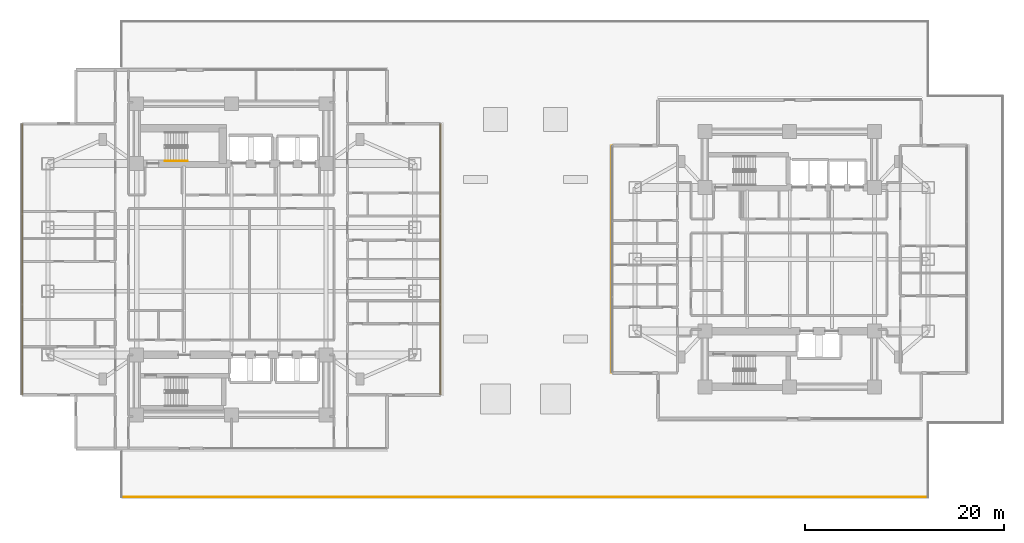
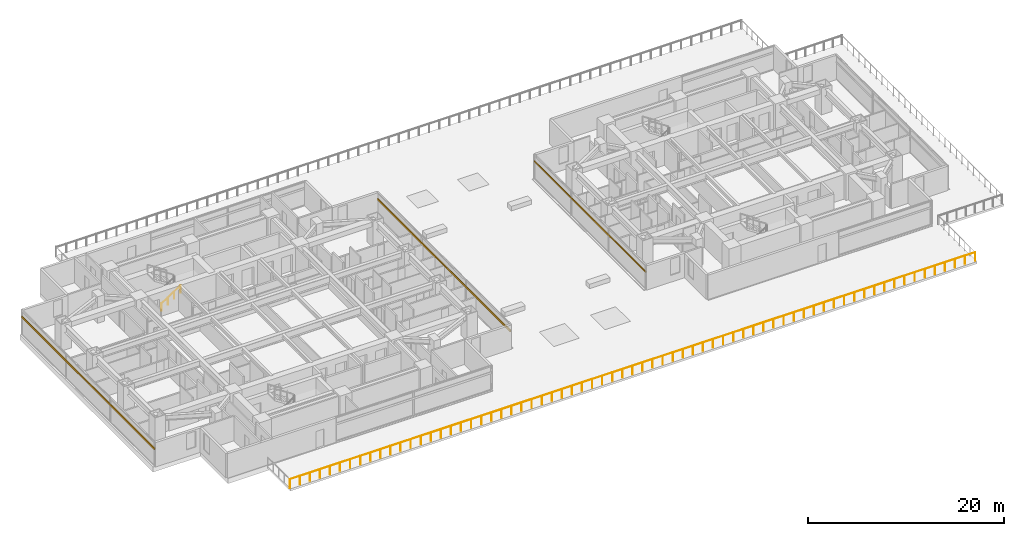
# One storey, part 21 of 26: 3 shading devices, 2 railings.
"""IFC4 building model written with IfcOpenShell, lengths in metres."""

from ifc_helpers import new_model, si_unit, direction, frame, origin, origin_2d, place, context, subcontext, project, spatial, rectangle, circle, extrude, material, material_profile, profile_set, type_object, element, save


model = new_model("IFC4")

# Units and contexts
model_context = context("Model", 3, precision=1e-05, world=origin(), true_north=direction((0.0, 1.0)))
body_context = subcontext(model_context, "Body", "Model", "MODEL_VIEW")
ifc_project = project(units=[si_unit("LENGTHUNIT", "METRE"), si_unit("AREAUNIT", "SQUARE_METRE"), si_unit("VOLUMEUNIT", "CUBIC_METRE"), si_unit("PLANEANGLEUNIT", "RADIAN"), si_unit("MASSUNIT", "GRAM", prefix="KILO")], contexts=[model_context])

# Site, building, storey
site_placement = place(None, origin())
site = spatial("IfcSite", under=ifc_project, at=site_placement, CompositionType="ELEMENT")
building_placement = place(site_placement, origin())
building = spatial("IfcBuilding", under=site, at=building_placement, Name="Mirazonda Arch Towers", CompositionType="ELEMENT")
storey_placement = place(building_placement, frame((0.0, 0.0, 22.39990234375)))
storey = spatial("IfcBuildingStorey", under=building, at=storey_placement, Name="L05", CompositionType="ELEMENT", Elevation=22.39990234375)

# Shading devices
ifc_material_1 = material(Name="Kiln-Fired Architectural Terracotta", Category="masonry")
ifc_material_profile_1 = material_profile(ifc_material_1, rectangle(XDim=0.1201171875, YDim=0.239990234375, at=origin_2d()), Name="TERRA-BAG-120x240")
ifc_profile_set_1 = profile_set([ifc_material_profile_1], Name="Kiln-Fired Architectural Terracotta")
shading_device_type_1 = type_object("IfcShadingDeviceType", Name="BAGUETTE-1", PredefinedType="USERDEFINED", material=ifc_profile_set_1)
for number, where, z_axis, x_axis, name in (
    (1, (41.47998046875, 14.39990234375, 2.18896484375), (0.0, 1.0, 0.0), (-1.0, 0.0, 0.0), "L05 Glazed Terracotta Sun-Screen Baguette CW-L05-T1-E"),
    (2, (-0.47998046875, 41.60009765625, 2.18896484375), (0.0, -1.0, 0.0), (1.0, 0.0, 0.0), "L05 Glazed Terracotta Sun-Screen Baguette CW-L05-T1-W"),
):
    element("IfcShadingDevice", number, at=place(storey_placement, frame(where, z_axis=z_axis, x_axis=x_axis)), inside=storey, type_object=shading_device_type_1, Name=name, ObjectType="BAGUETTE", PredefinedType="USERDEFINED", context=body_context, shape_type="SweptSolid", body=[
        extrude(rectangle(XDim=0.1201171875, YDim=0.239990234375, at=origin_2d()), origin(), (0.0, 0.0, 1.0), 27.2001953125),
    ])
ifc_material_profile_2 = material_profile(ifc_material_1, rectangle(XDim=0.10009765625, YDim=0.199951171875, at=origin_2d()), Name="TERRA-BAG-100x200")
ifc_profile_set_2 = profile_set([ifc_material_profile_2], Name="Kiln-Fired Architectural Terracotta")
shading_device_type_2 = type_object("IfcShadingDeviceType", Name="BAGUETTE-2", PredefinedType="USERDEFINED", material=ifc_profile_set_2)
shading_device_placement = place(storey_placement, frame((58.719970703125, 39.39990234375, 2.18896484375), z_axis=(0.0, -1.0, 0.0), x_axis=(1.0, 0.0, 0.0)))
element("IfcShadingDevice", 3, at=shading_device_placement, inside=storey, type_object=shading_device_type_2, Name="L05 Glazed Terracotta Sun-Screen Baguette CW-L05-T2-W", ObjectType="BAGUETTE", PredefinedType="USERDEFINED", context=body_context, shape_type="SweptSolid", body=[
    extrude(rectangle(XDim=0.10009765625, YDim=0.199951171875, at=origin_2d()), origin(), (0.0, 0.0, 1.0), 22.7998046875),
])

# Railings
ifc_material_2 = material(Name="Architectural Brushed Steel S355", Category="steel")
railing_type_1 = type_object("IfcRailingType", Name="GUARD-EXT-1150", PredefinedType="GUARDRAIL", material=ifc_material_2)
railing_1_placement = place(storey_placement, frame((9.5, 4.139892578125, 0.0)))
element("IfcRailing", 4, at=railing_1_placement, inside=storey, type_object=railing_type_1, Name="L05 Podium Roof Terrace Perimeter Guard 02", PredefinedType="GUARDRAIL", context=body_context, shape_type="SweptSolid", body=[
    extrude(circle(Radius=0.02392578125, at=origin_2d()), frame((0.0, 0.0, 1.1259765625), z_axis=(1.0, 0.0, 0.0), x_axis=(0.0, 1.0, 0.0)), (0.0, 0.0, 1.0), 80.860107421875),
    extrude(circle(Radius=0.02099609375, at=origin_2d()), origin(), (0.0, 0.0, 1.0), 1.101806640625),
    extrude(circle(Radius=0.02099609375, at=origin_2d()), frame((1.189208984375, 0.0, 0.0)), (0.0, 0.0, 1.0), 1.101806640625),
    extrude(circle(Radius=0.02099609375, at=origin_2d()), frame((2.378173828125, 0.0, 0.0)), (0.0, 0.0, 1.0), 1.101806640625),
    extrude(circle(Radius=0.02099609375, at=origin_2d()), frame((3.5673828125, 0.0, 0.0)), (0.0, 0.0, 1.0), 1.101806640625),
    extrude(circle(Radius=0.02099609375, at=origin_2d()), frame((4.756591796875, 0.0, 0.0)), (0.0, 0.0, 1.0), 1.101806640625),
    extrude(circle(Radius=0.02099609375, at=origin_2d()), frame((5.945556640625, 0.0, 0.0)), (0.0, 0.0, 1.0), 1.101806640625),
    extrude(circle(Radius=0.02099609375, at=origin_2d()), frame((7.134765625, 0.0, 0.0)), (0.0, 0.0, 1.0), 1.101806640625),
    extrude(circle(Radius=0.02099609375, at=origin_2d()), frame((8.32373046875, 0.0, 0.0)), (0.0, 0.0, 1.0), 1.101806640625),
    extrude(circle(Radius=0.02099609375, at=origin_2d()), frame((9.512939453125, 0.0, 0.0)), (0.0, 0.0, 1.0), 1.101806640625),
    extrude(circle(Radius=0.02099609375, at=origin_2d()), frame((10.7021484375, 0.0, 0.0)), (0.0, 0.0, 1.0), 1.101806640625),
    extrude(circle(Radius=0.02099609375, at=origin_2d()), frame((11.89111328125, 0.0, 0.0)), (0.0, 0.0, 1.0), 1.101806640625),
    extrude(circle(Radius=0.02099609375, at=origin_2d()), frame((13.080322265625, 0.0, 0.0)), (0.0, 0.0, 1.0), 1.101806640625),
    extrude(circle(Radius=0.02099609375, at=origin_2d()), frame((14.26953125, 0.0, 0.0)), (0.0, 0.0, 1.0), 1.101806640625),
    extrude(circle(Radius=0.02099609375, at=origin_2d()), frame((15.45849609375, 0.0, 0.0)), (0.0, 0.0, 1.0), 1.101806640625),
    extrude(circle(Radius=0.02099609375, at=origin_2d()), frame((16.647705078125, 0.0, 0.0)), (0.0, 0.0, 1.0), 1.101806640625),
    extrude(circle(Radius=0.02099609375, at=origin_2d()), frame((17.836669921875, 0.0, 0.0)), (0.0, 0.0, 1.0), 1.101806640625),
    extrude(circle(Radius=0.02099609375, at=origin_2d()), frame((19.02587890625, 0.0, 0.0)), (0.0, 0.0, 1.0), 1.101806640625),
    extrude(circle(Radius=0.02099609375, at=origin_2d()), frame((20.215087890625, 0.0, 0.0)), (0.0, 0.0, 1.0), 1.101806640625),
    extrude(circle(Radius=0.02099609375, at=origin_2d()), frame((21.404052734375, 0.0, 0.0)), (0.0, 0.0, 1.0), 1.101806640625),
    extrude(circle(Radius=0.02099609375, at=origin_2d()), frame((22.59326171875, 0.0, 0.0)), (0.0, 0.0, 1.0), 1.101806640625),
    extrude(circle(Radius=0.02099609375, at=origin_2d()), frame((23.782470703125, 0.0, 0.0)), (0.0, 0.0, 1.0), 1.101806640625),
    extrude(circle(Radius=0.02099609375, at=origin_2d()), frame((24.971435546875, 0.0, 0.0)), (0.0, 0.0, 1.0), 1.101806640625),
    extrude(circle(Radius=0.02099609375, at=origin_2d()), frame((26.16064453125, 0.0, 0.0)), (0.0, 0.0, 1.0), 1.101806640625),
    extrude(circle(Radius=0.02099609375, at=origin_2d()), frame((27.349853515625, 0.0, 0.0)), (0.0, 0.0, 1.0), 1.101806640625),
    extrude(circle(Radius=0.02099609375, at=origin_2d()), frame((28.538818359375, 0.0, 0.0)), (0.0, 0.0, 1.0), 1.101806640625),
    extrude(circle(Radius=0.02099609375, at=origin_2d()), frame((29.72802734375, 0.0, 0.0)), (0.0, 0.0, 1.0), 1.101806640625),
    extrude(circle(Radius=0.02099609375, at=origin_2d()), frame((30.9169921875, 0.0, 0.0)), (0.0, 0.0, 1.0), 1.101806640625),
    extrude(circle(Radius=0.02099609375, at=origin_2d()), frame((32.106201171875, 0.0, 0.0)), (0.0, 0.0, 1.0), 1.101806640625),
    extrude(circle(Radius=0.02099609375, at=origin_2d()), frame((33.29541015625, 0.0, 0.0)), (0.0, 0.0, 1.0), 1.101806640625),
    extrude(circle(Radius=0.02099609375, at=origin_2d()), frame((34.484375, 0.0, 0.0)), (0.0, 0.0, 1.0), 1.101806640625),
    extrude(circle(Radius=0.02099609375, at=origin_2d()), frame((35.673583984375, 0.0, 0.0)), (0.0, 0.0, 1.0), 1.101806640625),
    extrude(circle(Radius=0.02099609375, at=origin_2d()), frame((36.86279296875, 0.0, 0.0)), (0.0, 0.0, 1.0), 1.101806640625),
    extrude(circle(Radius=0.02099609375, at=origin_2d()), frame((38.0517578125, 0.0, 0.0)), (0.0, 0.0, 1.0), 1.101806640625),
    extrude(circle(Radius=0.02099609375, at=origin_2d()), frame((39.240966796875, 0.0, 0.0)), (0.0, 0.0, 1.0), 1.101806640625),
    extrude(circle(Radius=0.02099609375, at=origin_2d()), frame((40.43017578125, 0.0, 0.0)), (0.0, 0.0, 1.0), 1.101806640625),
    extrude(circle(Radius=0.02099609375, at=origin_2d()), frame((41.619140625, 0.0, 0.0)), (0.0, 0.0, 1.0), 1.101806640625),
    extrude(circle(Radius=0.02099609375, at=origin_2d()), frame((42.808349609375, 0.0, 0.0)), (0.0, 0.0, 1.0), 1.101806640625),
    extrude(circle(Radius=0.02099609375, at=origin_2d()), frame((43.997314453125, 0.0, 0.0)), (0.0, 0.0, 1.0), 1.101806640625),
    extrude(circle(Radius=0.02099609375, at=origin_2d()), frame((45.1865234375, 0.0, 0.0)), (0.0, 0.0, 1.0), 1.101806640625),
    extrude(circle(Radius=0.02099609375, at=origin_2d()), frame((46.375732421875, 0.0, 0.0)), (0.0, 0.0, 1.0), 1.101806640625),
    extrude(circle(Radius=0.02099609375, at=origin_2d()), frame((47.564697265625, 0.0, 0.0)), (0.0, 0.0, 1.0), 1.101806640625),
    extrude(circle(Radius=0.02099609375, at=origin_2d()), frame((48.75390625, 0.0, 0.0)), (0.0, 0.0, 1.0), 1.101806640625),
    extrude(circle(Radius=0.02099609375, at=origin_2d()), frame((49.943115234375, 0.0, 0.0)), (0.0, 0.0, 1.0), 1.101806640625),
    extrude(circle(Radius=0.02099609375, at=origin_2d()), frame((51.132080078125, 0.0, 0.0)), (0.0, 0.0, 1.0), 1.101806640625),
    extrude(circle(Radius=0.02099609375, at=origin_2d()), frame((52.3212890625, 0.0, 0.0)), (0.0, 0.0, 1.0), 1.101806640625),
    extrude(circle(Radius=0.02099609375, at=origin_2d()), frame((53.51025390625, 0.0, 0.0)), (0.0, 0.0, 1.0), 1.101806640625),
    extrude(circle(Radius=0.02099609375, at=origin_2d()), frame((54.699462890625, 0.0, 0.0)), (0.0, 0.0, 1.0), 1.101806640625),
    extrude(circle(Radius=0.02099609375, at=origin_2d()), frame((55.888671875, 0.0, 0.0)), (0.0, 0.0, 1.0), 1.101806640625),
    extrude(circle(Radius=0.02099609375, at=origin_2d()), frame((57.07763671875, 0.0, 0.0)), (0.0, 0.0, 1.0), 1.101806640625),
    extrude(circle(Radius=0.02099609375, at=origin_2d()), frame((58.266845703125, 0.0, 0.0)), (0.0, 0.0, 1.0), 1.101806640625),
    extrude(circle(Radius=0.02099609375, at=origin_2d()), frame((59.4560546875, 0.0, 0.0)), (0.0, 0.0, 1.0), 1.101806640625),
    extrude(circle(Radius=0.02099609375, at=origin_2d()), frame((60.64501953125, 0.0, 0.0)), (0.0, 0.0, 1.0), 1.101806640625),
    extrude(circle(Radius=0.02099609375, at=origin_2d()), frame((61.834228515625, 0.0, 0.0)), (0.0, 0.0, 1.0), 1.101806640625),
    extrude(circle(Radius=0.02099609375, at=origin_2d()), frame((63.0234375, 0.0, 0.0)), (0.0, 0.0, 1.0), 1.101806640625),
    extrude(circle(Radius=0.02099609375, at=origin_2d()), frame((64.21240234375, 0.0, 0.0)), (0.0, 0.0, 1.0), 1.101806640625),
    extrude(circle(Radius=0.02099609375, at=origin_2d()), frame((65.401611328125, 0.0, 0.0)), (0.0, 0.0, 1.0), 1.101806640625),
    extrude(circle(Radius=0.02099609375, at=origin_2d()), frame((66.590576171875, 0.0, 0.0)), (0.0, 0.0, 1.0), 1.101806640625),
    extrude(circle(Radius=0.02099609375, at=origin_2d()), frame((67.77978515625, 0.0, 0.0)), (0.0, 0.0, 1.0), 1.101806640625),
    extrude(circle(Radius=0.02099609375, at=origin_2d()), frame((68.968994140625, 0.0, 0.0)), (0.0, 0.0, 1.0), 1.101806640625),
    extrude(circle(Radius=0.02099609375, at=origin_2d()), frame((70.157958984375, 0.0, 0.0)), (0.0, 0.0, 1.0), 1.101806640625),
    extrude(circle(Radius=0.02099609375, at=origin_2d()), frame((71.34716796875, 0.0, 0.0)), (0.0, 0.0, 1.0), 1.101806640625),
    extrude(circle(Radius=0.02099609375, at=origin_2d()), frame((72.536376953125, 0.0, 0.0)), (0.0, 0.0, 1.0), 1.101806640625),
    extrude(circle(Radius=0.02099609375, at=origin_2d()), frame((73.725341796875, 0.0, 0.0)), (0.0, 0.0, 1.0), 1.101806640625),
    extrude(circle(Radius=0.02099609375, at=origin_2d()), frame((74.91455078125, 0.0, 0.0)), (0.0, 0.0, 1.0), 1.101806640625),
    extrude(circle(Radius=0.02099609375, at=origin_2d()), frame((76.103515625, 0.0, 0.0)), (0.0, 0.0, 1.0), 1.101806640625),
    extrude(circle(Radius=0.02099609375, at=origin_2d()), frame((77.292724609375, 0.0, 0.0)), (0.0, 0.0, 1.0), 1.101806640625),
    extrude(circle(Radius=0.02099609375, at=origin_2d()), frame((78.48193359375, 0.0, 0.0)), (0.0, 0.0, 1.0), 1.101806640625),
    extrude(circle(Radius=0.02099609375, at=origin_2d()), frame((79.6708984375, 0.0, 0.0)), (0.0, 0.0, 1.0), 1.101806640625),
    extrude(circle(Radius=0.02099609375, at=origin_2d()), frame((80.860107421875, 0.0, 0.0)), (0.0, 0.0, 1.0), 1.101806640625),
])
railing_type_2 = type_object("IfcRailingType", Name="HANDRAIL-915", PredefinedType="HANDRAIL", material=ifc_material_2)
railing_2_placement = place(storey_placement, frame((13.85009765625, 37.8701171875, 0.183349609375)))
element("IfcRailing", 5, at=railing_2_placement, inside=storey, type_object=railing_type_2, Name="L05 ST-T1N stair handrail 1", PredefinedType="HANDRAIL", context=body_context, shape_type="SweptSolid", body=[
    extrude(circle(Radius=0.02392578125, at=origin_2d()), frame((0.0, 0.0, 0.8759765625), z_axis=(0.836595146698, 0.0, 0.547821650285), x_axis=(0.0, 1.0, 0.0)), (0.0, 0.0, 1.0), 2.677490234375),
    extrude(circle(Radius=0.02099609375, at=origin_2d()), origin(), (0.0, 0.0, 1.0), 0.851806640625),
    extrude(circle(Radius=0.02099609375, at=origin_2d()), frame((0.74658203125, 0.0, 0.489013671875)), (0.0, 0.0, 1.0), 0.851806640625),
    extrude(circle(Radius=0.02099609375, at=origin_2d()), frame((1.493408203125, 0.0, 0.977783203125)), (0.0, 0.0, 1.0), 0.851806640625),
    extrude(circle(Radius=0.02099609375, at=origin_2d()), frame((2.239990234375, 0.0, 1.466796875)), (0.0, 0.0, 1.0), 0.851806640625),
])

save(model, "model.ifc")
